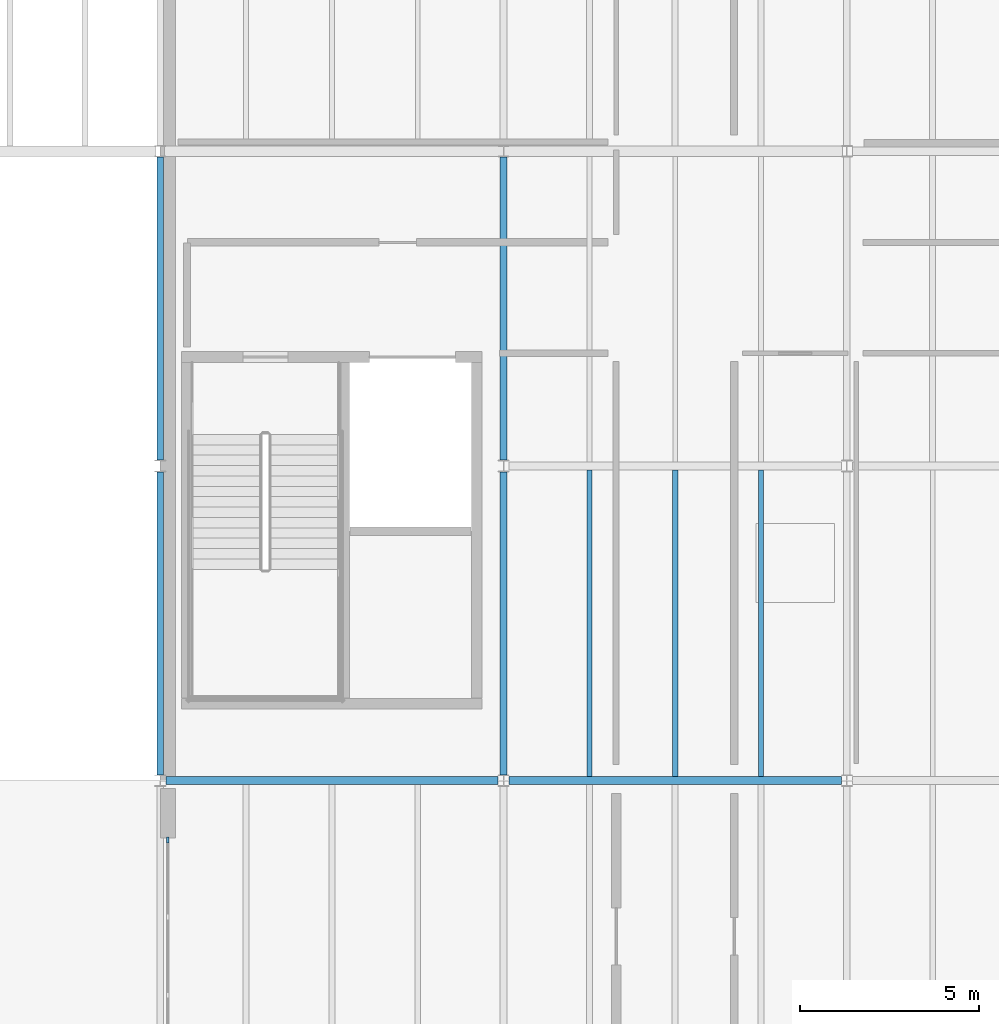
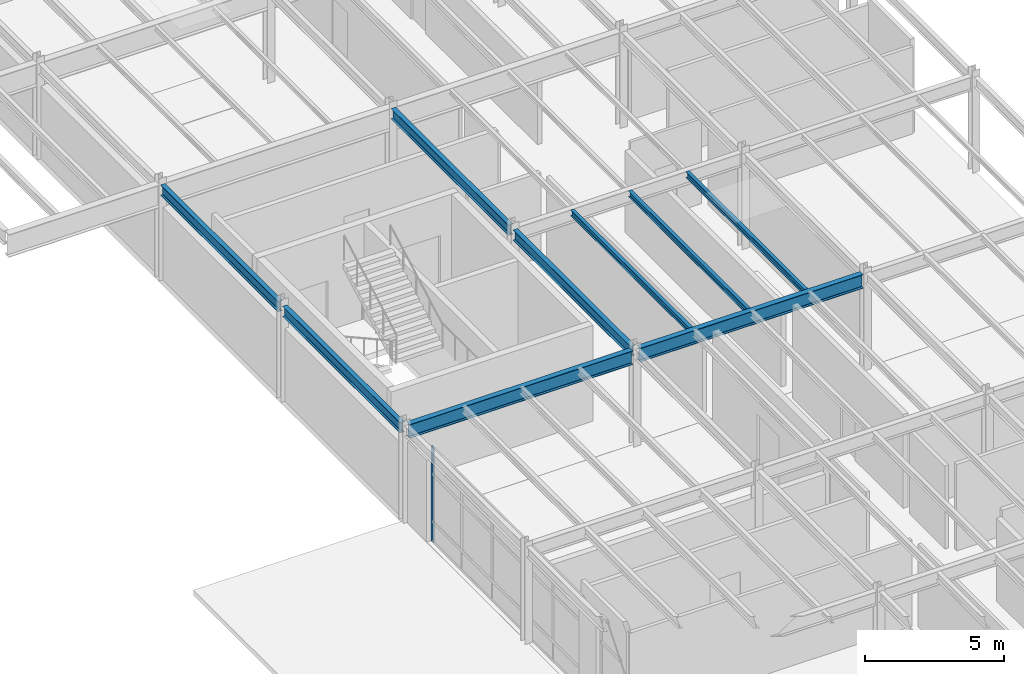
# One storey, part 21 of 77: 9 beams, 1 member, 1 element without a shape of its own.
"""IFC4 building model written with IfcOpenShell, lengths in metres."""

from ifc_helpers import new_model, si_unit, direction, frame, origin, origin_2d, place, context, subcontext, project, spatial, rectangle, i_section, extrude, material, material_profile, profile_set, type_object, element, aggregate, save


model = new_model("IFC4")

# Units and contexts
model_context = context("Model", 3, precision=1e-05, world=origin(), true_north=direction((0.0, 1.0)))
body_context = subcontext(model_context, "Body", "Model", "MODEL_VIEW")
ifc_project = project(units=[si_unit("LENGTHUNIT", "METRE"), si_unit("AREAUNIT", "SQUARE_METRE"), si_unit("VOLUMEUNIT", "CUBIC_METRE"), si_unit("PLANEANGLEUNIT", "RADIAN"), si_unit("MASSUNIT", "GRAM", prefix="KILO")], contexts=[model_context])

# Site, building, storey
site_placement = place(None, origin())
site = spatial("IfcSite", under=ifc_project, at=site_placement, CompositionType="ELEMENT")
building_placement = place(site_placement, origin())
building = spatial("IfcBuilding", under=site, at=building_placement, Name="Sarnbrook Museum", CompositionType="ELEMENT")
storey_placement = place(building_placement, frame((0.0, 0.0, 5.60009765625)))
storey = spatial("IfcBuildingStorey", under=building, at=storey_placement, Name="L01", CompositionType="ELEMENT", Elevation=5.60009765625)

# Beams
ifc_material_1 = material(Name="Structural Steel Grade 300PLUS (AS/NZS 3679.1, fy = 280 MPa for 17 < t <= 40 mm, 300 MPa for t <= 17 mm)", Category="steel")
ifc_material_profile_1 = material_profile(ifc_material_1, i_section(OverallWidth=0.18994140625, OverallDepth=0.45703125, WebThickness=0.009033203125, FlangeThickness=0.014404296875, FilletRadius=0.011474609375, at=origin_2d()), Name="460UB74.6")
ifc_profile_set_1 = profile_set([ifc_material_profile_1], Name="Structural Steel Grade 300PLUS (AS/NZS 3679.1, fy = 280 MPa for 17 < t <= 40 mm, 300 MPa for t <= 17 mm)")
beam_type_1 = type_object("IfcBeamType", Name="BM-UB460", PredefinedType="BEAM", material=ifc_profile_set_1)
for number, where, z_axis, x_axis, name in (
    (1, (13.60009765625, 39.363525390625, 3.991455078125), (0.0, 1.0, 0.0), (-1.0, 0.0, 0.0), "Girder 2:E-F L01"),
    (2, (13.60009765625, 48.16357421875, 3.991455078125), (0.0, 1.0, 0.0), (-1.0, 0.0, 0.0), "Girder 2:F-G L01"),
    (3, (23.199951171875, 39.363525390625, 3.991455078125), (0.0, 1.0, 0.0), (-1.0, 0.0, 0.0), "Girder 3:E-F L01"),
    (4, (23.199951171875, 48.16357421875, 3.991455078125), (0.0, 1.0, 0.0), (-1.0, 0.0, 0.0), "Girder 3:F-G L01"),
):
    element("IfcBeam", number, at=place(storey_placement, frame(where, z_axis=z_axis, x_axis=x_axis)), inside=storey, type_object=beam_type_1, Name=name, PredefinedType="BEAM", context=body_context, shape_type="SweptSolid", body=[
        extrude(i_section(OverallWidth=0.18994140625, OverallDepth=0.45703125, WebThickness=0.009033203125, FlangeThickness=0.014404296875, FilletRadius=0.011474609375, at=origin_2d()), origin(), (0.0, 0.0, 1.0), 8.472900390625),
    ])
ifc_material_profile_2 = material_profile(ifc_material_1, i_section(OverallWidth=0.22802734375, OverallDepth=0.60693359375, WebThickness=0.01123046875, FlangeThickness=0.017333984375, FilletRadius=0.013916015625, at=origin_2d()), Name="610UB113")
ifc_profile_set_2 = profile_set([ifc_material_profile_2], Name="Structural Steel Grade 300PLUS (AS/NZS 3679.1, fy = 280 MPa for 17 < t <= 40 mm, 300 MPa for t <= 17 mm)")
beam_type_2 = type_object("IfcBeamType", Name="BM-UB610", PredefinedType="BEAM", material=ifc_profile_set_2)
beam_1_placement = place(storey_placement, frame((13.755615234375, 39.199951171875, 3.91650390625), z_axis=(1.0, 0.0, 0.0), x_axis=(0.0, 1.0, 0.0)))
element("IfcBeam", 5, at=beam_1_placement, inside=storey, type_object=beam_type_2, Name="Girder E:2-3 L01", PredefinedType="BEAM", context=body_context, shape_type="SweptSolid", body=[
    extrude(i_section(OverallWidth=0.22802734375, OverallDepth=0.60693359375, WebThickness=0.01123046875, FlangeThickness=0.017333984375, FilletRadius=0.013916015625, at=origin_2d()), origin(), (0.0, 0.0, 1.0), 9.288818359375),
])
beam_2_placement = place(storey_placement, frame((23.35546875, 39.199951171875, 3.91650390625), z_axis=(1.0, 0.0, 0.0), x_axis=(0.0, 1.0, 0.0)))
element("IfcBeam", 6, at=beam_2_placement, inside=storey, type_object=beam_type_2, Name="Girder E:3-4 L01", PredefinedType="BEAM", context=body_context, shape_type="SweptSolid", body=[
    extrude(i_section(OverallWidth=0.22802734375, OverallDepth=0.60693359375, WebThickness=0.01123046875, FlangeThickness=0.017333984375, FilletRadius=0.013916015625, at=origin_2d()), origin(), (0.0, 0.0, 1.0), 9.2890625),
])

# Curtain wall, member
ifc_material_2 = material(Name="Thermally Broken Anodised Aluminium 6063-T6", Category="aluminium")
curtain_wall_type = type_object("IfcCurtainWallType", Name="CurtainWall_GalleryRibbon", PredefinedType="NOTDEFINED", material=ifc_material_2)
curtain_wall_placement = place(storey_placement, origin())
curtain_wall = element("IfcCurtainWall", 7, at=curtain_wall_placement, inside=storey, type_object=curtain_wall_type, Name="Gallery Ribbon Curtain Wall L01-12.1", PredefinedType="NOTDEFINED")
ifc_material_profile_3 = material_profile(ifc_material_2, rectangle(XDim=0.06005859375, YDim=0.159912109375, at=origin_2d()), Name="ALU MULLION 60x160")
ifc_profile_set_3 = profile_set([ifc_material_profile_3], Name="Thermally Broken Anodised Aluminium 6063-T6")
member_type = type_object("IfcMemberType", Name="CW_Mullion_150x65", PredefinedType="MULLION", material=ifc_profile_set_3)
member_placement = place(storey_placement, frame((13.81005859375, 37.5400390625, 0.0), z_axis=(0.0, 0.0, 1.0), x_axis=(1.0, 0.0, 0.0)))
member = element("IfcMember", 8, at=member_placement, type_object=member_type, Name="Gallery Ribbon Curtain Wall L01-12.1 Mullion 1", PredefinedType="MULLION", context=body_context, shape_type="SweptSolid", body=[
    extrude(rectangle(XDim=0.06005859375, YDim=0.159912109375, at=origin_2d()), origin(), (0.0, 0.0, 1.0), 4.159912109375),
])
aggregate(curtain_wall, [member])

# Beams
ifc_material_profile_4 = material_profile(ifc_material_1, i_section(OverallWidth=0.14599609375, OverallDepth=0.256103515625, WebThickness=0.00634765625, FlangeThickness=0.010986328125, FilletRadius=0.0087890625, at=origin_2d()), Name="250UB37.3")
ifc_profile_set_4 = profile_set([ifc_material_profile_4], Name="Structural Steel Grade 300PLUS (AS/NZS 3679.1, fy = 280 MPa for 17 < t <= 40 mm, 300 MPa for t <= 17 mm)")
beam_type_3 = type_object("IfcBeamType", Name="JS-UB250", PredefinedType="JOIST", material=ifc_profile_set_4)
for number, where, z_axis, x_axis, name in (
    (9, (25.60009765625, 39.31396484375, 4.091796875), (0.0, 1.0, 0.0), (-1.0, 0.0, 0.0), "Composite Floor Joist 3E-1 L01"),
    (10, (28.0, 39.31396484375, 4.091796875), (0.0, 1.0, 0.0), (-1.0, 0.0, 0.0), "Composite Floor Joist 3E-2 L01"),
    (11, (30.39990234375, 39.31396484375, 4.091796875), (0.0, 1.0, 0.0), (-1.0, 0.0, 0.0), "Composite Floor Joist 3E-3 L01"),
):
    element("IfcBeam", number, at=place(storey_placement, frame(where, z_axis=z_axis, x_axis=x_axis)), inside=storey, type_object=beam_type_3, Name=name, PredefinedType="JOIST", context=body_context, shape_type="SweptSolid", body=[
        extrude(i_section(OverallWidth=0.14599609375, OverallDepth=0.256103515625, WebThickness=0.00634765625, FlangeThickness=0.010986328125, FilletRadius=0.0087890625, at=origin_2d()), origin(), (0.0, 0.0, 1.0), 8.572021484375),
    ])

save(model, "model.ifc")
